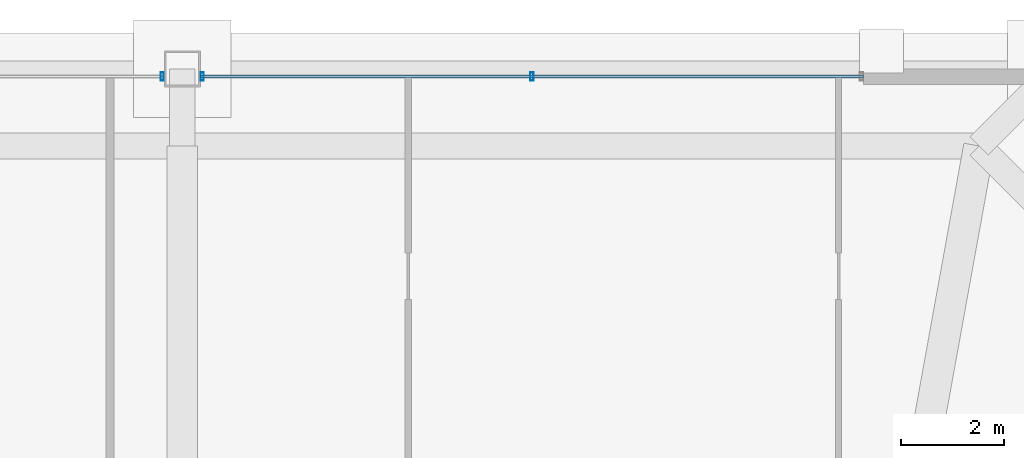
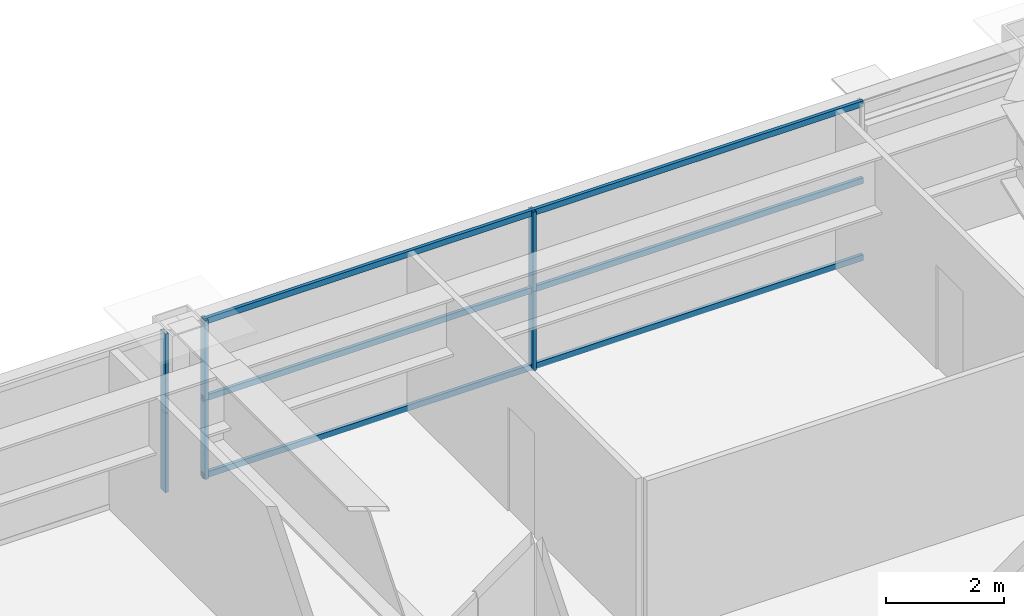
# One storey, part 25 of 33: 9 members, 2 elements without a shape of their own.
"""IFC4 building model written with IfcOpenShell, lengths in metres."""

from ifc_helpers import new_model, si_unit, direction, frame, origin, origin_2d, place, context, subcontext, project, spatial, hollow_rectangle, extrude, source, transform, mapped, material, layer, layer_set, material_profile, profile_set, type_object, element, aggregate, save


model = new_model("IFC4")

# Units and contexts
model_context = context("Model", 3, precision=1e-05, world=origin(), true_north=direction((0.0, 1.0)))
body_context = subcontext(model_context, "Body", "Model", "MODEL_VIEW")
ifc_project = project(units=[si_unit("LENGTHUNIT", "METRE"), si_unit("AREAUNIT", "SQUARE_METRE"), si_unit("VOLUMEUNIT", "CUBIC_METRE"), si_unit("PLANEANGLEUNIT", "RADIAN"), si_unit("MASSUNIT", "GRAM", prefix="KILO"), si_unit("THERMODYNAMICTEMPERATUREUNIT", "KELVIN"), si_unit("POWERUNIT", "WATT")], contexts=[model_context])

# Site, building, storey
site_placement = place(None, origin())
site = spatial("IfcSite", under=ifc_project, at=site_placement, CompositionType="ELEMENT")
building_placement = place(site_placement, origin())
building = spatial("IfcBuilding", under=site, at=building_placement, Name="Yuzanri Waterfront Tower", CompositionType="ELEMENT")
storey_placement = place(building_placement, frame((0.0, 0.0, 282.10009765625)))
storey = spatial("IfcBuildingStorey", under=building, at=storey_placement, Name="L75", CompositionType="ELEMENT", Elevation=282.10009765625)

# Curtain wall, members
ifc_material_1 = material(Name="Anodized Architectural Bronze", Category="metal")
ifc_layer = layer(ifc_material_1, 0.159912109375)
ifc_layer_set = layer_set([ifc_layer], Name="Anodized Architectural Bronze")
curtain_wall_type = type_object("IfcCurtainWallType", Name="Anodized Bronze Mid-Rise Residential Acoustic Unitized Curtain Wall 7200", PredefinedType="NOTDEFINED", material=ifc_layer_set)
curtain_wall_1_placement = place(storey_placement, origin())
curtain_wall_1 = element("IfcCurtainWall", 1, at=curtain_wall_1_placement, inside=storey, type_object=curtain_wall_type, Name="L75 Curtain Wall CW-L75-NL", PredefinedType="NOTDEFINED")
ifc_material_2 = material(Name="Anodized Architectural Bronze", Category="metal")
ifc_material_profile_1 = material_profile(ifc_material_2, hollow_rectangle(XDim=0.06494140625, YDim=0.159912109375, WallThickness=0.00341796875, at=origin_2d()), Name="CWM 65x160")
ifc_profile_set_1 = profile_set([ifc_material_profile_1], Name="Anodized Architectural Bronze")
member_type_1 = type_object("IfcMemberType", Name="Anodized Bronze Upper-Zone Curtain-Wall Mullion 65x160", PredefinedType="MULLION", material=ifc_profile_set_1)
shared_shape_1 = source(origin(), body_context, "Body", "SweptSolid", [
    extrude(hollow_rectangle(XDim=0.06494140625, YDim=0.159912109375, WallThickness=0.00341796875, at=origin_2d()), origin(), (0.0, 0.0, 1.0), 1.637939453125),
])
member_1_placement = place(storey_placement, frame((36.610107421875, 46.25, 0.0), z_axis=(0.0, 0.0, 1.0), x_axis=(1.0, 0.0, 0.0)))
member_1 = element("IfcMember", 2, at=member_1_placement, type_object=member_type_1, Name="CW-L75-NL Lower Mullion 02", PredefinedType="MULLION", context=body_context, shape_type="MappedRepresentation", body=[
    mapped(shared_shape_1, transform((0.0, 0.0, 0.0), scale=1.0)),
])
member_2_placement = place(storey_placement, frame((36.610107421875, 46.25, 1.641845703125), z_axis=(0.0, 0.0, 1.0), x_axis=(1.0, 0.0, 0.0)))
member_2 = element("IfcMember", 3, at=member_2_placement, type_object=member_type_1, Name="CW-L75-NL Upper Mullion 02", PredefinedType="MULLION", context=body_context, shape_type="MappedRepresentation", body=[
    mapped(shared_shape_1, transform((0.0, 0.0, 0.0), scale=1.0)),
])
aggregate(curtain_wall_1, [member_1, member_2])

curtain_wall_2_placement = place(storey_placement, origin())
curtain_wall_2 = element("IfcCurtainWall", 4, at=curtain_wall_2_placement, inside=storey, type_object=curtain_wall_type, Name="L75 Curtain Wall CW-L75-NR", PredefinedType="NOTDEFINED")
member_3_placement = place(storey_placement, frame((37.389892578125, 46.25, 0.0), z_axis=(0.0, 0.0, 1.0), x_axis=(1.0, 0.0, 0.0)))
member_3 = element("IfcMember", 5, at=member_3_placement, type_object=member_type_1, Name="CW-L75-NR Lower Mullion 00", PredefinedType="MULLION", context=body_context, shape_type="MappedRepresentation", body=[
    mapped(shared_shape_1, transform((0.0, 0.0, 0.0), scale=1.0)),
])
member_4_placement = place(storey_placement, frame((37.389892578125, 46.25, 1.641845703125), z_axis=(0.0, 0.0, 1.0), x_axis=(1.0, 0.0, 0.0)))
member_4 = element("IfcMember", 6, at=member_4_placement, type_object=member_type_1, Name="CW-L75-NR Upper Mullion 00", PredefinedType="MULLION", context=body_context, shape_type="MappedRepresentation", body=[
    mapped(shared_shape_1, transform((0.0, 0.0, 0.0), scale=1.0)),
])
member_5_placement = place(storey_placement, frame((43.800048828125, 46.25, 0.0), z_axis=(0.0, 0.0, 1.0), x_axis=(1.0, 0.0, 0.0)))
member_5 = element("IfcMember", 7, at=member_5_placement, type_object=member_type_1, Name="CW-L75-NR Lower Mullion 01", PredefinedType="MULLION", context=body_context, shape_type="MappedRepresentation", body=[
    mapped(shared_shape_1, transform((0.0, 0.0, 0.0), scale=1.0)),
])
member_6_placement = place(storey_placement, frame((43.800048828125, 46.25, 1.641845703125), z_axis=(0.0, 0.0, 1.0), x_axis=(1.0, 0.0, 0.0)))
member_6 = element("IfcMember", 8, at=member_6_placement, type_object=member_type_1, Name="CW-L75-NR Upper Mullion 01", PredefinedType="MULLION", context=body_context, shape_type="MappedRepresentation", body=[
    mapped(shared_shape_1, transform((0.0, 0.0, 0.0), scale=1.0)),
])
ifc_material_3 = material(Name="Anodized Architectural Bronze", Category="metal")
ifc_material_profile_2 = material_profile(ifc_material_3, hollow_rectangle(XDim=0.06494140625, YDim=0.1201171875, WallThickness=0.00341796875, at=origin_2d()), Name="CWT 65x120")
ifc_profile_set_2 = profile_set([ifc_material_profile_2], Name="Anodized Architectural Bronze")
member_type_2 = type_object("IfcMemberType", Name="Anodized Bronze Secondary Curtain-Wall Transom 65x120", PredefinedType="USERDEFINED", material=ifc_profile_set_2)
shared_shape_2 = source(origin(), body_context, "Body", "SweptSolid", [
    extrude(hollow_rectangle(XDim=0.06494140625, YDim=0.1201171875, WallThickness=0.00341796875, at=origin_2d()), origin(), (0.0, 0.0, 1.0), 12.89990234375),
])
member_7_placement = place(storey_placement, frame((37.35009765625, 46.25, 0.0498046875), z_axis=(1.0, 0.0, 0.0), x_axis=(0.0, 1.0, 0.0)))
member_7 = element("IfcMember", 9, at=member_7_placement, type_object=member_type_2, Name="CW-L75-NR Transom 1", ObjectType="TRANSOM", PredefinedType="USERDEFINED", context=body_context, shape_type="MappedRepresentation", body=[
    mapped(shared_shape_2, transform((0.0, 0.0, 0.0), scale=1.0)),
])
member_8_placement = place(storey_placement, frame((37.35009765625, 46.25, 1.639892578125), z_axis=(1.0, 0.0, 0.0), x_axis=(0.0, 1.0, 0.0)))
member_8 = element("IfcMember", 10, at=member_8_placement, type_object=member_type_2, Name="CW-L75-NR Transom 2", ObjectType="TRANSOM", PredefinedType="USERDEFINED", context=body_context, shape_type="MappedRepresentation", body=[
    mapped(shared_shape_2, transform((0.0, 0.0, 0.0), scale=1.0)),
])
member_9_placement = place(storey_placement, frame((37.35009765625, 46.25, 3.22998046875), z_axis=(1.0, 0.0, 0.0), x_axis=(0.0, 1.0, 0.0)))
member_9 = element("IfcMember", 11, at=member_9_placement, type_object=member_type_2, Name="CW-L75-NR Transom 3", ObjectType="TRANSOM", PredefinedType="USERDEFINED", context=body_context, shape_type="MappedRepresentation", body=[
    mapped(shared_shape_2, transform((0.0, 0.0, 0.0), scale=1.0)),
])
aggregate(curtain_wall_2, [member_3, member_4, member_5, member_6, member_7, member_8, member_9])

save(model, "model.ifc")
